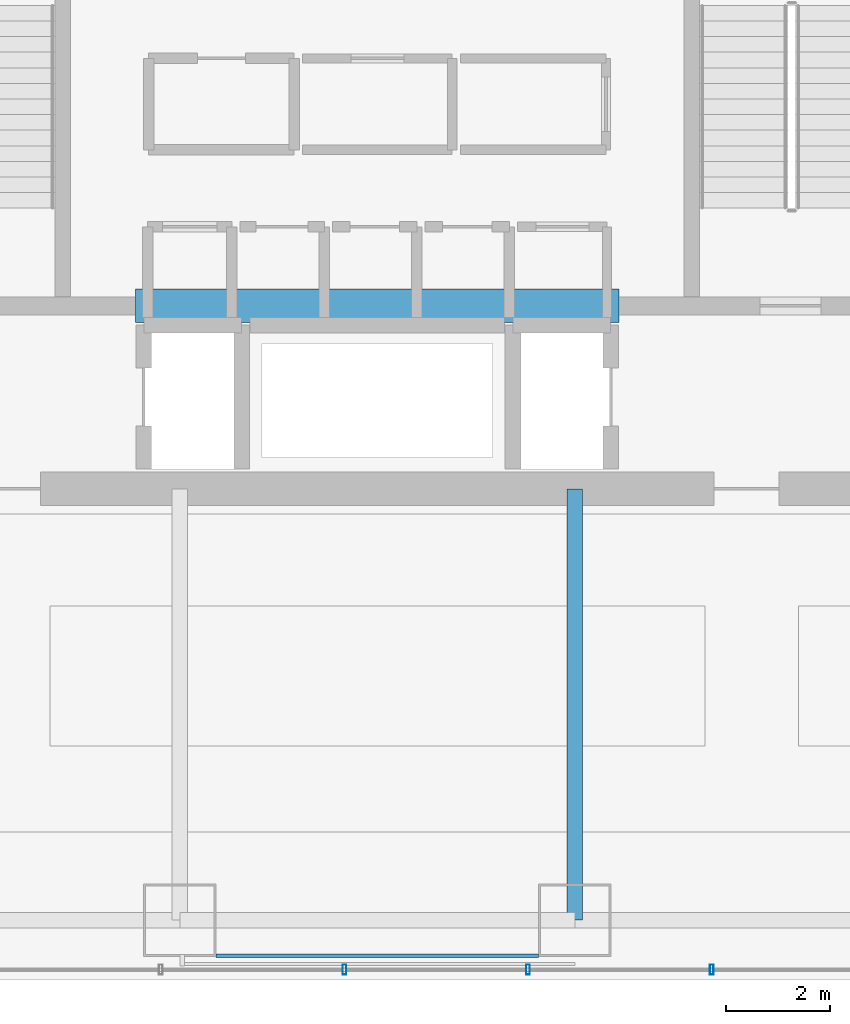
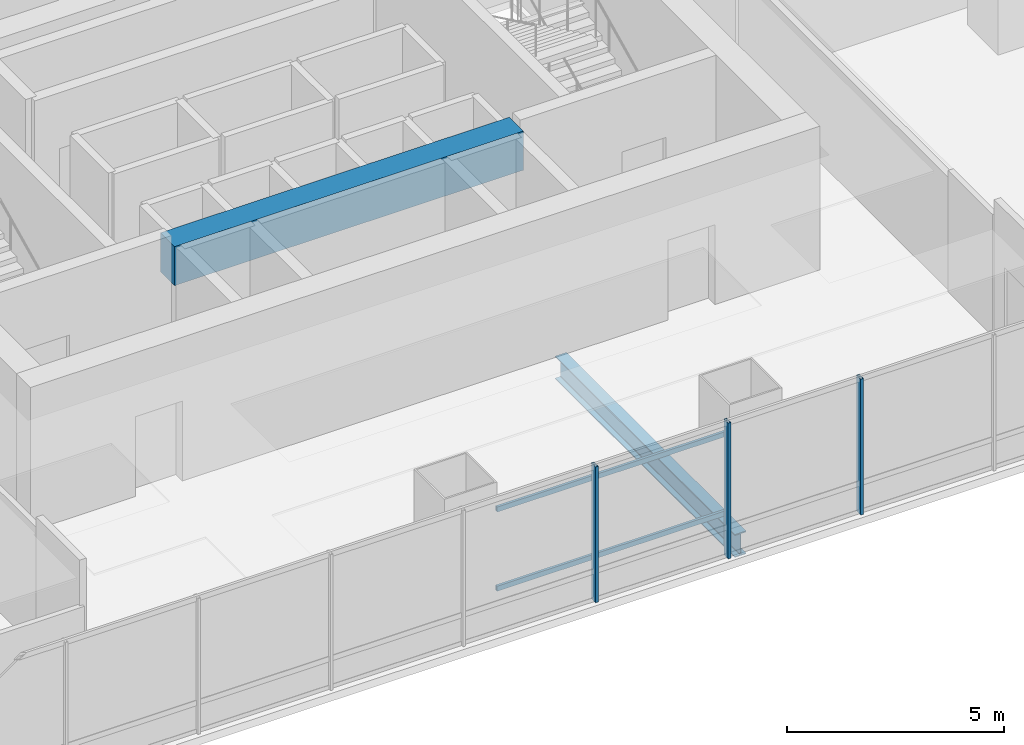
# One storey, part 9 of 38: 5 members, 2 beams, 1 element without a shape of its own.
"""IFC4 building model written with IfcOpenShell, lengths in metres."""

from ifc_helpers import new_model, si_unit, direction, frame, origin, origin_2d, place, context, subcontext, project, spatial, rectangle, hollow_rectangle, i_section, extrude, material, material_profile, profile_set, type_object, element, aggregate, save


model = new_model("IFC4")

# Units and contexts
model_context = context("Model", 3, precision=1e-05, world=origin(), true_north=direction((0.0, 1.0)))
body_context = subcontext(model_context, "Body", "Model", "MODEL_VIEW")
ifc_project = project(units=[si_unit("LENGTHUNIT", "METRE"), si_unit("AREAUNIT", "SQUARE_METRE"), si_unit("VOLUMEUNIT", "CUBIC_METRE"), si_unit("PLANEANGLEUNIT", "RADIAN"), si_unit("MASSUNIT", "GRAM", prefix="KILO")], contexts=[model_context])

# Site, building, storey
site_placement = place(None, origin())
site = spatial("IfcSite", under=ifc_project, at=site_placement, CompositionType="ELEMENT")
building_placement = place(site_placement, origin())
building = spatial("IfcBuilding", under=site, at=building_placement, Name="Punatoya Terracotta Tower", CompositionType="ELEMENT")
storey_placement = place(building_placement, frame((0.0, 0.0, 151.949951171875)))
storey = spatial("IfcBuildingStorey", under=building, at=storey_placement, Name="L35", CompositionType="ELEMENT", Elevation=151.949951171875)

# Beams
ifc_material_1 = material(Name="Steel S355", Category="steel")
ifc_material_profile_1 = material_profile(ifc_material_1, i_section(OverallWidth=0.300048828125, OverallDepth=0.64990234375, WebThickness=0.01611328125, FlangeThickness=0.031005859375, FilletRadius=0.01806640625, at=origin_2d()))
ifc_profile_set_1 = profile_set([ifc_material_profile_1], Name="Steel S355")
beam_type_1 = type_object("IfcBeamType", Name="BM-PRI-650", PredefinedType="BEAM", material=ifc_profile_set_1)
beam_1_placement = place(storey_placement, frame((3.800048828125, -17.5, -0.544921875), z_axis=(0.0, 1.0, 0.0), x_axis=(-1.0, 0.0, 0.0)))
element("IfcBeam", 1, at=beam_1_placement, inside=storey, type_object=beam_type_1, Name="BM-L35-PR-S3", PredefinedType="BEAM", context=body_context, shape_type="SweptSolid", body=[
    extrude(i_section(OverallWidth=0.300048828125, OverallDepth=0.64990234375, WebThickness=0.01611328125, FlangeThickness=0.031005859375, FilletRadius=0.01806640625, at=origin_2d()), origin(), (0.0, 0.0, 1.0), 8.300048828125),
])
ifc_material_2 = material(Name="Concrete C60/75", Category="concrete")
ifc_material_profile_2 = material_profile(ifc_material_2, rectangle(XDim=0.64990234375, YDim=1.10009765625, at=origin_2d()))
ifc_profile_set_2 = profile_set([ifc_material_profile_2], Name="Concrete C60/75")
beam_type_2 = type_object("IfcBeamType", Name="BM-RC-1100", PredefinedType="LINTEL", material=ifc_profile_set_2)
beam_2_placement = place(storey_placement, frame((-4.64990234375, -5.679931640625, 3.280029296875), z_axis=(1.0, 0.0, 0.0), x_axis=(0.0, 1.0, 0.0)))
element("IfcBeam", 2, at=beam_2_placement, inside=storey, type_object=beam_type_2, Name="L35 Core Coupling Lintel CSW", PredefinedType="LINTEL", context=body_context, shape_type="SweptSolid", body=[
    extrude(rectangle(XDim=0.64990234375, YDim=1.10009765625, at=origin_2d()), origin(), (0.0, 0.0, 1.0), 9.2998046875),
])

# Curtain wall, members
ifc_material_3 = material(Name="Aluminium 6063-T6 + Double Low-E Glass", Category="aluminium")
curtain_wall_type = type_object("IfcCurtainWallType", Name="CW-M2", PredefinedType="NOTDEFINED", material=ifc_material_3)
curtain_wall_placement = place(storey_placement, origin())
curtain_wall = element("IfcCurtainWall", 3, at=curtain_wall_placement, inside=storey, type_object=curtain_wall_type, Name="L35 Curtain Wall CW-L35-S01-1", PredefinedType="NOTDEFINED")
ifc_material_4 = material(Name="Aluminium 6063-T6", Category="aluminium")
ifc_material_profile_3 = material_profile(ifc_material_4, hollow_rectangle(XDim=0.072021484375, YDim=0.195068359375, WallThickness=0.00439453125, at=origin_2d()))
ifc_profile_set_3 = profile_set([ifc_material_profile_3], Name="Aluminium 6063-T6")
member_type_1 = type_object("IfcMemberType", Name="CW-MUL-M2", PredefinedType="MULLION", material=ifc_profile_set_3)
member_1_placement = place(storey_placement, frame((-0.633056640625, -18.449951171875, 0.0), z_axis=(0.0, 0.0, 1.0), x_axis=(1.0, 0.0, 0.0)))
member_1 = element("IfcMember", 4, at=member_1_placement, type_object=member_type_1, Name="CW-L35-S01-1 Mullion 06", PredefinedType="MULLION", context=body_context, shape_type="SweptSolid", body=[
    extrude(hollow_rectangle(XDim=0.072021484375, YDim=0.195068359375, WallThickness=0.00439453125, at=origin_2d()), origin(), (0.0, 0.0, 1.0), 3.830078125),
])
member_2_placement = place(storey_placement, frame((2.90087890625, -18.449951171875, 0.0), z_axis=(0.0, 0.0, 1.0), x_axis=(1.0, 0.0, 0.0)))
member_2 = element("IfcMember", 5, at=member_2_placement, type_object=member_type_1, Name="CW-L35-S01-1 Mullion 07", PredefinedType="MULLION", context=body_context, shape_type="SweptSolid", body=[
    extrude(hollow_rectangle(XDim=0.072021484375, YDim=0.195068359375, WallThickness=0.00439453125, at=origin_2d()), origin(), (0.0, 0.0, 1.0), 3.830078125),
])
member_3_placement = place(storey_placement, frame((6.43505859375, -18.449951171875, 0.0), z_axis=(0.0, 0.0, 1.0), x_axis=(1.0, 0.0, 0.0)))
member_3 = element("IfcMember", 6, at=member_3_placement, type_object=member_type_1, Name="CW-L35-S01-1 Mullion 08", PredefinedType="MULLION", context=body_context, shape_type="SweptSolid", body=[
    extrude(hollow_rectangle(XDim=0.072021484375, YDim=0.195068359375, WallThickness=0.00439453125, at=origin_2d()), origin(), (0.0, 0.0, 1.0), 3.830078125),
])
aggregate(curtain_wall, [member_1, member_2, member_3])

# Members
ifc_material_profile_4 = material_profile(ifc_material_1, hollow_rectangle(XDim=0.070068359375, YDim=0.139892578125, WallThickness=0.006103515625, at=origin_2d()))
ifc_profile_set_4 = profile_set([ifc_material_profile_4], Name="Steel S355")
member_type_2 = type_object("IfcMemberType", Name="MEM-BAG-RAIL", PredefinedType="USERDEFINED", material=ifc_profile_set_4)
for number, where, z_axis, x_axis, name in (
    (7, (-3.1005859375, -18.181884765625, 1.050048828125), (1.0, 0.0, 0.0), (0.0, 1.0, 0.0), "L35 Terracotta Baguette Carrier Rail BAG-L35-S-R1"),
    (8, (-3.1005859375, -18.181884765625, 3.280029296875), (1.0, 0.0, 0.0), (0.0, 1.0, 0.0), "L35 Terracotta Baguette Carrier Rail BAG-L35-S-R2"),
):
    element("IfcMember", number, at=place(storey_placement, frame(where, z_axis=z_axis, x_axis=x_axis)), inside=storey, type_object=member_type_2, Name=name, ObjectType="BAGUETTE", PredefinedType="USERDEFINED", context=body_context, shape_type="SweptSolid", body=[
        extrude(hollow_rectangle(XDim=0.070068359375, YDim=0.139892578125, WallThickness=0.006103515625, at=origin_2d()), origin(), (0.0, 0.0, 1.0), 6.201171875),
    ])

save(model, "model.ifc")
